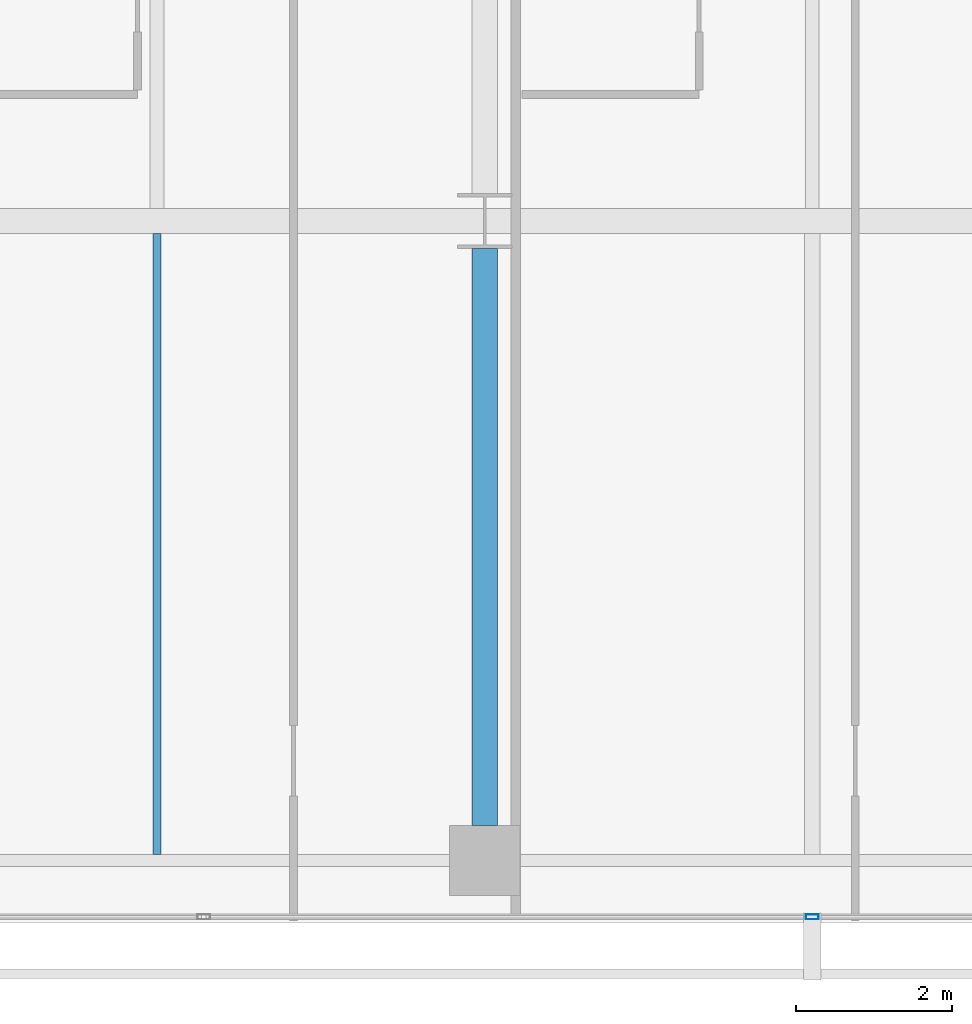
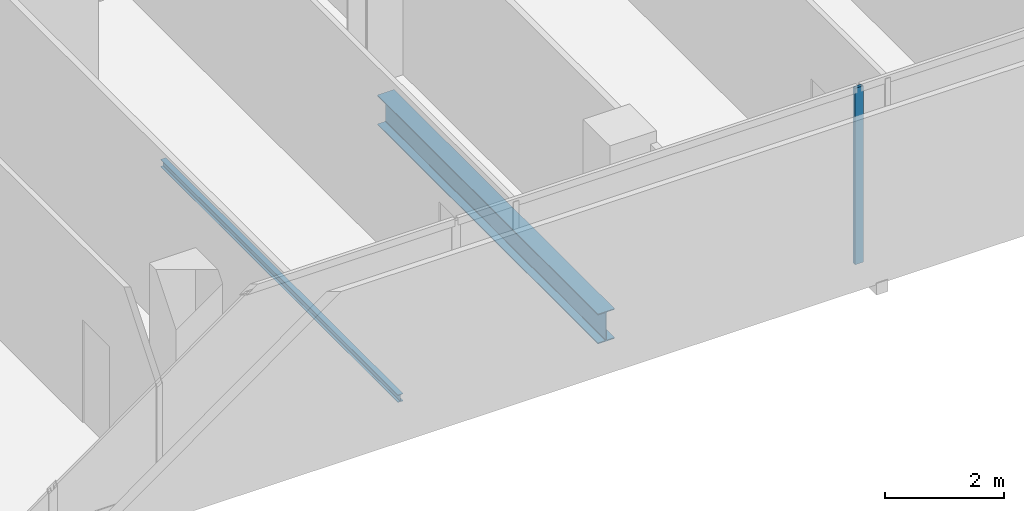
# One storey, part 8 of 40: 2 beams, 1 member, 1 element without a shape of its own.
"""IFC4 building model written with IfcOpenShell, lengths in metres."""

from ifc_helpers import new_model, si_unit, direction, frame, origin, origin_2d, place, context, subcontext, project, spatial, hollow_rectangle, i_section, extrude, material, layer, layer_set, material_profile, profile_set, type_object, element, aggregate, save


model = new_model("IFC4")

# Units and contexts
model_context = context("Model", 3, precision=1e-05, world=origin(), true_north=direction((0.0, 1.0)))
body_context = subcontext(model_context, "Body", "Model", "MODEL_VIEW")
ifc_project = project(units=[si_unit("LENGTHUNIT", "METRE"), si_unit("AREAUNIT", "SQUARE_METRE"), si_unit("VOLUMEUNIT", "CUBIC_METRE"), si_unit("PLANEANGLEUNIT", "RADIAN"), si_unit("MASSUNIT", "GRAM", prefix="KILO")], contexts=[model_context])

# Site, building, storey
site_placement = place(None, origin())
site = spatial("IfcSite", under=ifc_project, at=site_placement, CompositionType="ELEMENT")
building_placement = place(site_placement, origin())
building = spatial("IfcBuilding", under=site, at=building_placement, Name="Maruvema Waterfront Hotel and Observation Tower", CompositionType="ELEMENT")
storey_placement = place(building_placement, frame((0.0, 0.0, 80.85009765625)))
storey = spatial("IfcBuildingStorey", under=building, at=storey_placement, Name="L19", CompositionType="ELEMENT", Elevation=80.85009765625)

# Curtain wall, member
ifc_material_1 = material(Name="Anodised bronze aluminium and solar-control low-E IGU", Category="aluminium")
ifc_layer = layer(ifc_material_1, 0.159912109375, Name="Zone 1 Bronze Inner Thermal Curtain Wall System CW-02")
ifc_layer_set = layer_set([ifc_layer], Name="Anodised bronze aluminium and solar-control low-E IGU")
curtain_wall_type = type_object("IfcCurtainWallType", Name="Zone 1 Bronze Inner Thermal Curtain Wall System CW-02", PredefinedType="USERDEFINED", material=ifc_layer_set)
curtain_wall_placement = place(storey_placement, origin())
curtain_wall = element("IfcCurtainWall", 1, at=curtain_wall_placement, inside=storey, type_object=curtain_wall_type, Name="L19 Curtain Wall CW-L19-S", ObjectType="UNITISED CURTAIN WALL", PredefinedType="USERDEFINED")
ifc_material_2 = material(Name="Anodised architectural bronze aluminium", Category="aluminium")
ifc_material_profile_1 = material_profile(ifc_material_2, hollow_rectangle(XDim=0.06494140625, YDim=0.1650390625, WallThickness=0.00390625, at=origin_2d()), Name="ALU-M65x165")
ifc_profile_set_1 = profile_set([ifc_material_profile_1], Name="Anodised architectural bronze aluminium")
member_type = type_object("IfcMemberType", Name="Curtain Wall Primary Mullion ALU-M65x165", PredefinedType="MULLION", material=ifc_profile_set_1)
member_placement = place(storey_placement, frame((37.800048828125, 0.080078125, 0.0), z_axis=(0.0, 0.0, 1.0), x_axis=(0.0, 1.0, 0.0)))
member = element("IfcMember", 2, at=member_placement, type_object=member_type, Name="CW-02 mullion 4", PredefinedType="MULLION", context=body_context, shape_type="SweptSolid", body=[
    extrude(hollow_rectangle(XDim=0.06494140625, YDim=0.1650390625, WallThickness=0.00390625, at=origin_2d()), origin(), (0.0, 0.0, 1.0), 3.60986328125),
])
aggregate(curtain_wall, [member])

# Beams
ifc_material_3 = material(Name="Steel ASTM A572 Grade 50", Category="steel")
ifc_material_profile_2 = material_profile(ifc_material_3, i_section(OverallWidth=0.323974609375, OverallDepth=0.611083984375, WebThickness=0.0126953125, FlangeThickness=0.01904296875, FilletRadius=0.01806640625, at=origin_2d()), Name="W610x155.0")
ifc_profile_set_2 = profile_set([ifc_material_profile_2], Name="Steel ASTM A572 Grade 50")
beam_type_1 = type_object("IfcBeamType", Name="Primary Floor Girder W610x155.0", PredefinedType="BEAM", material=ifc_profile_set_2)
beam_1_placement = place(storey_placement, frame((33.60009765625, 1.25, -0.545654296875), z_axis=(0.0, 1.0, 0.0), x_axis=(-1.0, 0.0, 0.0)))
element("IfcBeam", 3, at=beam_1_placement, inside=storey, type_object=beam_type_1, Name="L19 Floor Girder NS-16", PredefinedType="BEAM", context=body_context, shape_type="SweptSolid", body=[
    extrude(i_section(OverallWidth=0.323974609375, OverallDepth=0.611083984375, WebThickness=0.0126953125, FlangeThickness=0.01904296875, FilletRadius=0.01806640625, at=origin_2d()), origin(), (0.0, 0.0, 1.0), 7.39990234375),
])
ifc_material_4 = material(Name="Steel ASTM A572 Grade 50", Category="steel")
ifc_material_profile_3 = material_profile(ifc_material_4, i_section(OverallWidth=0.10009765625, OverallDepth=0.153076171875, WebThickness=0.005859375, FlangeThickness=0.007080078125, FilletRadius=0.008056640625, at=origin_2d()), Name="W150x18.0")
ifc_profile_set_3 = profile_set([ifc_material_profile_3], Name="Steel ASTM A572 Grade 50")
beam_type_2 = type_object("IfcBeamType", Name="Secondary Floor Joist W150x18.0", PredefinedType="JOIST", material=ifc_profile_set_3)
beam_2_placement = place(storey_placement, frame((29.39990234375, 0.87646484375, -0.316650390625), z_axis=(0.0, 1.0, 0.0), x_axis=(-1.0, 0.0, 0.0)))
element("IfcBeam", 4, at=beam_2_placement, inside=storey, type_object=beam_type_2, Name="L19 Secondary Floor Joist JS-10", PredefinedType="JOIST", context=body_context, shape_type="SweptSolid", body=[
    extrude(i_section(OverallWidth=0.10009765625, OverallDepth=0.153076171875, WebThickness=0.005859375, FlangeThickness=0.007080078125, FilletRadius=0.008056640625, at=origin_2d()), origin(), (0.0, 0.0, 1.0), 7.96142578125),
])

save(model, "model.ifc")
